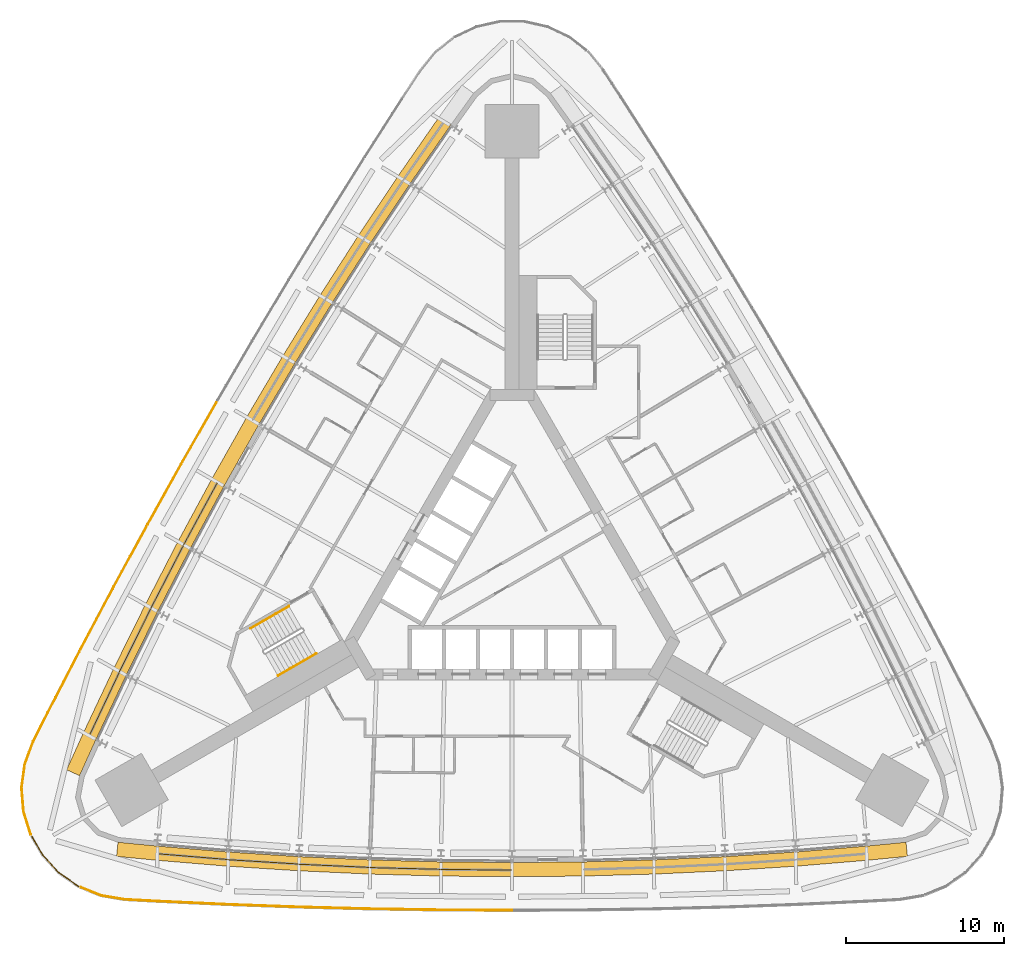
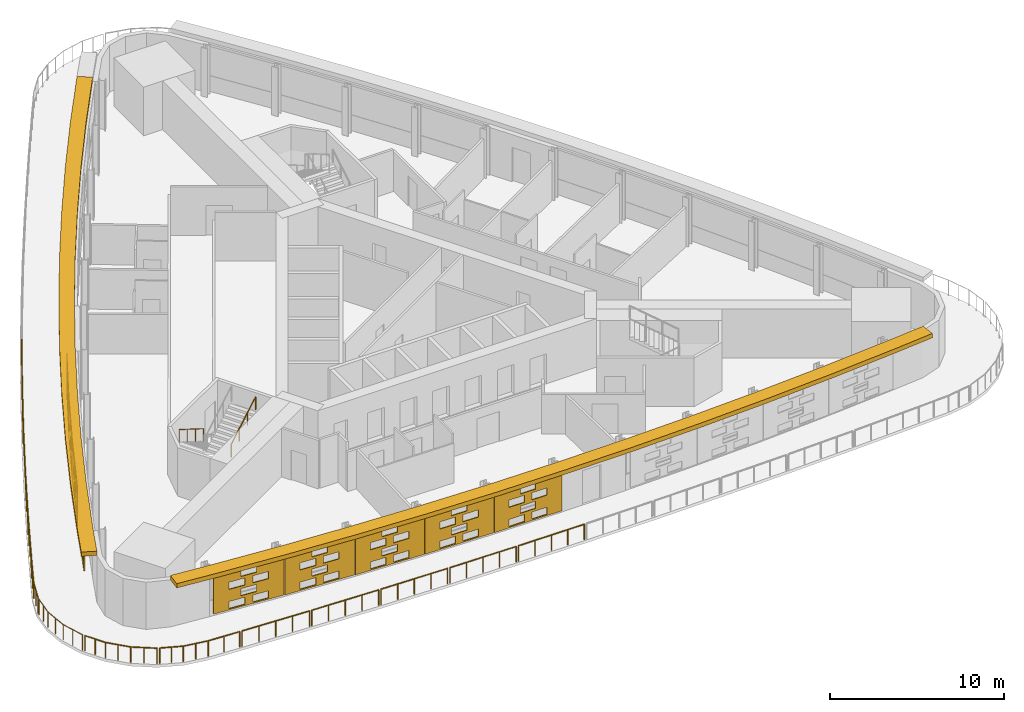
# One storey, part 11 of 14: 15 railings, 11 shading devices.
"""IFC4 building model written with IfcOpenShell, lengths in metres."""

from ifc_helpers import new_model, si_unit, direction, frame, origin, origin_2d, place, context, subcontext, project, spatial, polyline, circle, outline, extrude, material, material_profile, profile_set, type_object, element, save


model = new_model("IFC4")

# Units and contexts
model_context = context("Model", 3, precision=1e-05, world=origin(), true_north=direction((0.0, 1.0)))
body_context = subcontext(model_context, "Body", "Model", "MODEL_VIEW")
ifc_project = project(units=[si_unit("LENGTHUNIT", "METRE"), si_unit("AREAUNIT", "SQUARE_METRE"), si_unit("VOLUMEUNIT", "CUBIC_METRE"), si_unit("PLANEANGLEUNIT", "RADIAN"), si_unit("MASSUNIT", "GRAM", prefix="KILO")], contexts=[model_context])

# Site, building, storey
site_placement = place(None, origin())
site = spatial("IfcSite", under=ifc_project, at=site_placement, CompositionType="ELEMENT")
building_placement = place(site_placement, origin())
building = spatial("IfcBuilding", under=site, at=building_placement, Name="Noor Cloister Tower", CompositionType="ELEMENT")
storey_placement = place(building_placement, frame((0.0, 0.0, 24.0)))
storey = spatial("IfcBuildingStorey", under=building, at=storey_placement, Name="L05", CompositionType="ELEMENT", Elevation=24.0)

# Shading devices
ifc_material_1 = material(Name="Limestone", Category="masonry")
ifc_material_profile = material_profile(ifc_material_1, outline(polyline([(-2.22998046875, -1.35009765625), (2.22998046875, -1.35009765625), (2.22998046875, 1.35009765625), (-2.22998046875, 1.35009765625), (-2.22998046875, -1.35009765625)]), holes=[polyline([(-1.25, -1.263427734375), (-0.25, -1.263427734375), (-0.25, -0.76171875), (-1.25, -0.76171875), (-1.25, -1.263427734375)]), polyline([(0.25, -1.263427734375), (1.25, -1.263427734375), (1.25, -0.76171875), (0.25, -0.76171875), (0.25, -1.263427734375)]), polyline([(-0.5, -0.58837890625), (0.5, -0.58837890625), (0.5, -0.086669921875), (-0.5, -0.086669921875), (-0.5, -0.58837890625)]), polyline([(-1.25, 0.086669921875), (-0.25, 0.086669921875), (-0.25, 0.58837890625), (-1.25, 0.58837890625), (-1.25, 0.086669921875)]), polyline([(0.25, 0.086669921875), (1.25, 0.086669921875), (1.25, 0.58837890625), (0.25, 0.58837890625), (0.25, 0.086669921875)]), polyline([(-0.5, 0.76171875), (0.5, 0.76171875), (0.5, 1.263427734375), (-0.5, 1.263427734375), (-0.5, 0.76171875)])]), Name="Woven screen 25 percent open")
ifc_profile_set = profile_set([ifc_material_profile], Name="Limestone")
shading_device_type_1 = type_object("IfcShadingDeviceType", Name="SCREEN woven limestone 25 percent open", PredefinedType="USERDEFINED", material=ifc_profile_set)
for number, where, z_axis, x_axis, name in (
    (1, (-19.686767578125, 3.558837890625, 1.85009765625), (-0.879291966537, 0.476283148541, 0.0), (-0.476283148541, -0.879291966537, 0.0), "SCREEN L05 1"),
    (2, (-21.79443359375, -0.42626953125, 1.85009765625), (-0.887816162103, 0.460198285861, 0.0), (-0.460198285861, -0.887816162103, 0.0), "SCREEN L05 2"),
    (3, (-23.827880859375, -4.44970703125, 1.85009765625), (-0.896050438544, 0.443952262733, 0.0), (-0.443952262733, -0.896050438544, 0.0), "SCREEN L05 3"),
    (4, (-25.7861328125, -8.51025390625, 1.85009765625), (-0.90398642908, 0.427561148889, 0.0), (-0.427561148889, -0.90398642908, 0.0), "SCREEN L05 4"),
    (5, (-20.26318359375, -18.076416015625, 1.85009765625), (-0.081362009455, -0.996684615823, 0.0), (0.996684615823, -0.081362009455, 0.0), "SCREEN L05 1"),
):
    element("IfcShadingDevice", number, at=place(storey_placement, frame(where, z_axis=z_axis, x_axis=x_axis)), inside=storey, type_object=shading_device_type_1, Name=name, ObjectType="SCREEN", PredefinedType="USERDEFINED", context=body_context, shape_type="SweptSolid", body=[
        extrude(outline(polyline([(-2.22998046875, -1.35009765625), (2.22998046875, -1.35009765625), (2.22998046875, 1.35009765625), (-2.22998046875, 1.35009765625), (-2.22998046875, -1.35009765625)]), holes=[polyline([(-1.25, -1.263427734375), (-0.25, -1.263427734375), (-0.25, -0.76171875), (-1.25, -0.76171875), (-1.25, -1.263427734375)]), polyline([(0.25, -1.263427734375), (1.25, -1.263427734375), (1.25, -0.76171875), (0.25, -0.76171875), (0.25, -1.263427734375)]), polyline([(-0.5, -0.58837890625), (0.5, -0.58837890625), (0.5, -0.086669921875), (-0.5, -0.086669921875), (-0.5, -0.58837890625)]), polyline([(-1.25, 0.086669921875), (-0.25, 0.086669921875), (-0.25, 0.58837890625), (-1.25, 0.58837890625), (-1.25, 0.086669921875)]), polyline([(0.25, 0.086669921875), (1.25, 0.086669921875), (1.25, 0.58837890625), (0.25, 0.58837890625), (0.25, 0.086669921875)]), polyline([(-0.5, 0.76171875), (0.5, 0.76171875), (0.5, 1.263427734375), (-0.5, 1.263427734375), (-0.5, 0.76171875)])]), origin(), (0.0, 0.0, 1.0), 0.06005859375),
    ])
shading_device_1_placement = place(storey_placement, frame((-15.767578125, -18.41064453125, 1.85009765625), z_axis=(-0.06111006328, -0.998131033565, 0.0), x_axis=(0.998131033565, -0.06111006328, 0.0)))
element("IfcShadingDevice", 6, at=shading_device_1_placement, inside=storey, type_object=shading_device_type_1, Name="SCREEN L05 2", ObjectType="SCREEN", PredefinedType="USERDEFINED", context=body_context, shape_type="SweptSolid", body=[
    extrude(outline(polyline([(-2.22998046875, -1.35009765625), (2.22998046875, -1.35009765625), (2.22998046875, 1.35009765625), (-2.22998046875, 1.35009765625), (-2.22998046875, -1.35009765625)]), holes=[polyline([(-1.25, -1.263427734375), (-0.25, -1.263427734375), (-0.25, -0.76171875), (-1.25, -0.76171875), (-1.25, -1.263427734375)]), polyline([(0.25, -1.263427734375), (1.25, -1.263427734375), (1.25, -0.76171875), (0.25, -0.76171875), (0.25, -1.263427734375)]), polyline([(-0.5, -0.58837890625), (0.5, -0.58837890625), (0.5, -0.086669921875), (-0.5, -0.086669921875), (-0.5, -0.58837890625)]), polyline([(-1.25, 0.086669921875), (-0.25, 0.086669921875), (-0.25, 0.58837890625), (-1.25, 0.58837890625), (-1.25, 0.086669921875)]), polyline([(0.25, 0.086669921875), (1.25, 0.086669921875), (1.25, 0.58837890625), (0.25, 0.58837890625), (0.25, 0.086669921875)]), polyline([(-0.5, 0.76171875), (0.5, 0.76171875), (0.5, 1.263427734375), (-0.5, 1.263427734375), (-0.5, 0.76171875)])]), origin(), (0.0, 0.0, 1.0), 0.059814453125),
])
for number, where, z_axis, x_axis, name in (
    (7, (-11.266357421875, -18.661376953125, 1.85009765625), (-0.044670810456, -0.999001761106, 0.0), (0.999001761106, -0.044670810456, 0.0), "SCREEN L05 3"),
    (8, (-6.761474609375, -18.82861328125, 1.85009765625), (-0.024382992455, -0.999702690643, 0.0), (0.999702690643, -0.024382992455, 0.0), "SCREEN L05 4"),
):
    element("IfcShadingDevice", number, at=place(storey_placement, frame(where, z_axis=z_axis, x_axis=x_axis)), inside=storey, type_object=shading_device_type_1, Name=name, ObjectType="SCREEN", PredefinedType="USERDEFINED", context=body_context, shape_type="SweptSolid", body=[
        extrude(outline(polyline([(-2.22998046875, -1.35009765625), (2.22998046875, -1.35009765625), (2.22998046875, 1.35009765625), (-2.22998046875, 1.35009765625), (-2.22998046875, -1.35009765625)]), holes=[polyline([(-1.25, -1.263427734375), (-0.25, -1.263427734375), (-0.25, -0.76171875), (-1.25, -0.76171875), (-1.25, -1.263427734375)]), polyline([(0.25, -1.263427734375), (1.25, -1.263427734375), (1.25, -0.76171875), (0.25, -0.76171875), (0.25, -1.263427734375)]), polyline([(-0.5, -0.58837890625), (0.5, -0.58837890625), (0.5, -0.086669921875), (-0.5, -0.086669921875), (-0.5, -0.58837890625)]), polyline([(-1.25, 0.086669921875), (-0.25, 0.086669921875), (-0.25, 0.58837890625), (-1.25, 0.58837890625), (-1.25, 0.086669921875)]), polyline([(0.25, 0.086669921875), (1.25, 0.086669921875), (1.25, 0.58837890625), (0.25, 0.58837890625), (0.25, 0.086669921875)]), polyline([(-0.5, 0.76171875), (0.5, 0.76171875), (0.5, 1.263427734375), (-0.5, 1.263427734375), (-0.5, 0.76171875)])]), origin(), (0.0, 0.0, 1.0), 0.06005859375),
    ])
shading_device_2_placement = place(storey_placement, frame((-2.254150390625, -18.912353515625, 1.85009765625), z_axis=(-0.008162993324, -0.999966682215, 0.0), x_axis=(0.999966682215, -0.008162993324, 0.0)))
element("IfcShadingDevice", 9, at=shading_device_2_placement, inside=storey, type_object=shading_device_type_1, Name="SCREEN L05 5", ObjectType="SCREEN", PredefinedType="USERDEFINED", context=body_context, shape_type="SweptSolid", body=[
    extrude(outline(polyline([(-2.22998046875, -1.35009765625), (2.22998046875, -1.35009765625), (2.22998046875, 1.35009765625), (-2.22998046875, 1.35009765625), (-2.22998046875, -1.35009765625)]), holes=[polyline([(-1.25, -1.263427734375), (-0.25, -1.263427734375), (-0.25, -0.76171875), (-1.25, -0.76171875), (-1.25, -1.263427734375)]), polyline([(0.25, -1.263427734375), (1.25, -1.263427734375), (1.25, -0.76171875), (0.25, -0.76171875), (0.25, -1.263427734375)]), polyline([(-0.5, -0.58837890625), (0.5, -0.58837890625), (0.5, -0.086669921875), (-0.5, -0.086669921875), (-0.5, -0.58837890625)]), polyline([(-1.25, 0.086669921875), (-0.25, 0.086669921875), (-0.25, 0.58837890625), (-1.25, 0.58837890625), (-1.25, 0.086669921875)]), polyline([(0.25, 0.086669921875), (1.25, 0.086669921875), (1.25, 0.58837890625), (0.25, 0.58837890625), (0.25, 0.086669921875)]), polyline([(-0.5, 0.76171875), (0.5, 0.76171875), (0.5, 1.263427734375), (-0.5, 1.263427734375), (-0.5, 0.76171875)])]), origin(), (0.0, 0.0, 1.0), 0.059814453125),
])
ifc_material_2 = material(Name="Limestone", Category="masonry")
shading_device_type_2 = type_object("IfcShadingDeviceType", Name="SUNSHADE limestone band 900", PredefinedType="USERDEFINED", material=ifc_material_2)
shading_device_3_placement = place(storey_placement, frame((0.0, 0.0, 3.300048828125)))
element("IfcShadingDevice", 10, at=shading_device_3_placement, inside=storey, type_object=shading_device_type_2, Name="SUNSHADE L05 1", ObjectType="SUNSHADE", PredefinedType="USERDEFINED", context=body_context, shape_type="SweptSolid", body=[
    extrude(outline(polyline([(-4.60888671875, 28.691162109375), (-7.180908203125, 24.988525390625), (-9.688232421875, 21.231689453125), (-12.12548828125, 17.42919921875), (-14.491943359375, 13.58203125), (-16.786376953125, 9.691650390625), (-19.00830078125, 5.75927734375), (-21.156982421875, 1.786376953125), (-23.2314453125, -2.2255859375), (-25.231201171875, -6.275390625), (-27.154541015625, -10.35986328125), (-28.178466796875, -12.617919921875), (-27.35888671875, -12.989501953125), (-26.337646484375, -10.737548828125), (-24.42041015625, -6.66650390625), (-22.42822265625, -2.631591796875), (-20.361328125, 1.36572265625), (-18.220703125, 5.32373046875), (-16.0068359375, 9.24169921875), (-13.720947265625, 13.11767578125), (-11.36328125, 16.950439453125), (-8.93505859375, 20.739013671875), (-6.43701171875, 24.48193359375), (-3.869873046875, 28.177734375), (-4.60888671875, 28.691162109375)])), origin(), (0.0, 0.0, 1.0), 0.300048828125),
])
shading_device_4_placement = place(storey_placement, frame((0.0, 0.0, 3.300048828125)))
element("IfcShadingDevice", 11, at=shading_device_4_placement, inside=storey, type_object=shading_device_type_2, Name="SUNSHADE L05 2", ObjectType="SUNSHADE", PredefinedType="USERDEFINED", context=body_context, shape_type="SweptSolid", body=[
    extrude(outline(polyline([(-25.0166015625, -18.09423828125), (-22.54931640625, -18.336669921875), (-18.05029296875, -18.713134765625), (-13.543212890625, -19.006103515625), (-9.03125, -19.215576171875), (-4.516357421875, -19.34130859375), (0.0, -19.38330078125), (4.516357421875, -19.34130859375), (9.03125, -19.215576171875), (13.543212890625, -19.006103515625), (18.05029296875, -18.713134765625), (22.54931640625, -18.336669921875), (25.0166015625, -18.09423828125), (24.9287109375, -17.19873046875), (22.4677734375, -17.440185546875), (17.9833984375, -17.8154296875), (13.492919921875, -18.107421875), (8.998046875, -18.316162109375), (4.499755859375, -18.44140625), (0.0, -18.483154296875), (-4.499755859375, -18.44140625), (-8.998046875, -18.316162109375), (-13.492919921875, -18.107421875), (-17.9833984375, -17.8154296875), (-22.4677734375, -17.440185546875), (-24.9287109375, -17.19873046875), (-25.0166015625, -18.09423828125)])), origin(), (0.0, 0.0, 1.0), 0.300048828125),
])

# Railings
ifc_material_3 = material(Name="Stainless steel", Category="steel")
railing_type_1 = type_object("IfcRailingType", Name="Stair handrail 900", PredefinedType="HANDRAIL", material=ifc_material_3)
railing_1_placement = place(storey_placement, frame((-14.10986328125, -2.27392578125, 0.16357421875)))
element("IfcRailing", 12, at=railing_1_placement, inside=storey, type_object=railing_type_1, Name="Stair handrail ST2 L05 1", PredefinedType="HANDRAIL", context=body_context, shape_type="SweptSolid", body=[
    extrude(circle(Radius=0.02392578125, at=origin_2d()), frame((0.0, 0.0, 0.8759765625), z_axis=(-0.747689811644, -0.431660630283, 0.504607813879), x_axis=(0.49998411664, -0.866034573852, 0.0)), (0.0, 0.0, 1.0), 3.2431640625),
    extrude(circle(Radius=0.02099609375, at=origin_2d()), origin(), (0.0, 0.0, 1.0), 0.851806640625),
    extrude(circle(Radius=0.02099609375, at=origin_2d()), frame((-0.808349609375, -0.466552734375, 0.54541015625)), (0.0, 0.0, 1.0), 0.851806640625),
    extrude(circle(Radius=0.02099609375, at=origin_2d()), frame((-1.616455078125, -0.933349609375, 1.091064453125)), (0.0, 0.0, 1.0), 0.851806640625),
    extrude(circle(Radius=0.02099609375, at=origin_2d()), frame((-2.4248046875, -1.39990234375, 1.636474609375)), (0.0, 0.0, 1.0), 0.851806640625),
])
railing_2_placement = place(storey_placement, frame((-14.8095703125, -6.66162109375, 1.963623046875)))
element("IfcRailing", 13, at=railing_2_placement, inside=storey, type_object=railing_type_1, Name="Stair handrail ST2 L05 2", PredefinedType="HANDRAIL", context=body_context, shape_type="SweptSolid", body=[
    extrude(circle(Radius=0.02392578125, at=origin_2d()), frame((0.0, 0.0, 0.8759765625), z_axis=(0.747689811644, 0.431660630283, 0.504607813879), x_axis=(-0.49998411664, 0.866034573852, 0.0)), (0.0, 0.0, 1.0), 3.2431640625),
    extrude(circle(Radius=0.02099609375, at=origin_2d()), origin(), (0.0, 0.0, 1.0), 0.851806640625),
    extrude(circle(Radius=0.02099609375, at=origin_2d()), frame((0.808349609375, 0.466552734375, 0.54541015625)), (0.0, 0.0, 1.0), 0.851806640625),
    extrude(circle(Radius=0.02099609375, at=origin_2d()), frame((1.616455078125, 0.933349609375, 1.091064453125)), (0.0, 0.0, 1.0), 0.851806640625),
    extrude(circle(Radius=0.02099609375, at=origin_2d()), frame((2.4248046875, 1.39990234375, 1.636474609375)), (0.0, 0.0, 1.0), 0.851806640625),
])
ifc_material_4 = material(Name="Stainless steel grade 316", Category="steel")
railing_type_2 = type_object("IfcRailingType", Name="Terrace guard 1100", PredefinedType="GUARDRAIL", material=ifc_material_4)
railing_3_placement = place(storey_placement, frame((0.0, -21.50732421875, 0.0)))
element("IfcRailing", 14, at=railing_3_placement, inside=storey, type_object=railing_type_2, Name="Podium terrace guard 19", PredefinedType="GUARDRAIL", context=body_context, shape_type="SweptSolid", body=[
    extrude(circle(Radius=0.02392578125, at=origin_2d()), frame((0.0, 0.0, 1.076171875), z_axis=(-0.999986662856, 0.005164698422, 0.0), x_axis=(-0.005164698422, -0.999986662856, 0.0)), (0.0, 0.0, 1.0), 4.348876953125),
    extrude(circle(Radius=0.02099609375, at=origin_2d()), origin(), (0.0, 0.0, 1.0), 1.052001953125),
    extrude(circle(Radius=0.02099609375, at=origin_2d()), frame((-1.087158203125, 0.005615234375, 0.0)), (0.0, 0.0, 1.0), 1.052001953125),
    extrude(circle(Radius=0.02099609375, at=origin_2d()), frame((-2.17431640625, 0.01123046875, 0.0)), (0.0, 0.0, 1.0), 1.052001953125),
    extrude(circle(Radius=0.02099609375, at=origin_2d()), frame((-3.26171875, 0.016845703125, 0.0)), (0.0, 0.0, 1.0), 1.052001953125),
    extrude(circle(Radius=0.02099609375, at=origin_2d()), frame((-4.348876953125, 0.0224609375, 0.0)), (0.0, 0.0, 1.0), 1.052001953125),
])
railing_4_placement = place(storey_placement, frame((-4.498779296875, -21.484130859375, 0.0)))
element("IfcRailing", 15, at=railing_4_placement, inside=storey, type_object=railing_type_2, Name="Podium terrace guard 20", PredefinedType="GUARDRAIL", context=body_context, shape_type="SweptSolid", body=[
    extrude(circle(Radius=0.02392578125, at=origin_2d()), frame((0.0, 0.0, 1.076171875), z_axis=(-0.999881704373, 0.015381068212, 0.0), x_axis=(-0.015381068212, -0.999881704373, 0.0)), (0.0, 0.0, 1.0), 4.34912109375),
    extrude(circle(Radius=0.02099609375, at=origin_2d()), origin(), (0.0, 0.0, 1.0), 1.052001953125),
    extrude(circle(Radius=0.02099609375, at=origin_2d()), frame((-1.087158203125, 0.0166015625, 0.0)), (0.0, 0.0, 1.0), 1.052001953125),
    extrude(circle(Radius=0.02099609375, at=origin_2d()), frame((-2.17431640625, 0.033447265625, 0.0)), (0.0, 0.0, 1.0), 1.052001953125),
    extrude(circle(Radius=0.02099609375, at=origin_2d()), frame((-3.261474609375, 0.05029296875, 0.0)), (0.0, 0.0, 1.0), 1.052001953125),
    extrude(circle(Radius=0.02099609375, at=origin_2d()), frame((-4.3486328125, 0.06689453125, 0.0)), (0.0, 0.0, 1.0), 1.052001953125),
])
railing_5_placement = place(storey_placement, frame((-8.997314453125, -21.414794921875, 0.0)))
element("IfcRailing", 16, at=railing_5_placement, inside=storey, type_object=railing_type_2, Name="Podium terrace guard 21", PredefinedType="GUARDRAIL", context=body_context, shape_type="SweptSolid", body=[
    extrude(circle(Radius=0.02392578125, at=origin_2d()), frame((0.0, 0.0, 1.076171875), z_axis=(-0.999670840482, 0.025655617122, 0.0), x_axis=(-0.025655617122, -0.999670840482, 0.0)), (0.0, 0.0, 1.0), 4.348876953125),
    extrude(circle(Radius=0.02099609375, at=origin_2d()), origin(), (0.0, 0.0, 1.0), 1.052001953125),
    extrude(circle(Radius=0.02099609375, at=origin_2d()), frame((-1.0869140625, 0.02783203125, 0.0)), (0.0, 0.0, 1.0), 1.052001953125),
    extrude(circle(Radius=0.02099609375, at=origin_2d()), frame((-2.173828125, 0.0556640625, 0.0)), (0.0, 0.0, 1.0), 1.052001953125),
    extrude(circle(Radius=0.02099609375, at=origin_2d()), frame((-3.260498046875, 0.083740234375, 0.0)), (0.0, 0.0, 1.0), 1.052001953125),
    extrude(circle(Radius=0.02099609375, at=origin_2d()), frame((-4.347412109375, 0.111572265625, 0.0)), (0.0, 0.0, 1.0), 1.052001953125),
])
railing_6_placement = place(storey_placement, frame((-13.494873046875, -21.29931640625, 0.0)))
element("IfcRailing", 17, at=railing_6_placement, inside=storey, type_object=railing_type_2, Name="Podium terrace guard 22", PredefinedType="GUARDRAIL", context=body_context, shape_type="SweptSolid", body=[
    extrude(circle(Radius=0.02392578125, at=origin_2d()), frame((0.0, 0.0, 1.076171875), z_axis=(-0.99935431549, 0.035929822028, 0.0), x_axis=(-0.035929822028, -0.99935431549, 0.0)), (0.0, 0.0, 1.0), 4.348876953125),
    extrude(circle(Radius=0.02099609375, at=origin_2d()), origin(), (0.0, 0.0, 1.0), 1.052001953125),
    extrude(circle(Radius=0.02099609375, at=origin_2d()), frame((-1.08642578125, 0.0390625, 0.0)), (0.0, 0.0, 1.0), 1.052001953125),
    extrude(circle(Radius=0.02099609375, at=origin_2d()), frame((-2.1728515625, 0.078125, 0.0)), (0.0, 0.0, 1.0), 1.052001953125),
    extrude(circle(Radius=0.02099609375, at=origin_2d()), frame((-3.259521484375, 0.1171875, 0.0)), (0.0, 0.0, 1.0), 1.052001953125),
    extrude(circle(Radius=0.02099609375, at=origin_2d()), frame((-4.345947265625, 0.15625, 0.0)), (0.0, 0.0, 1.0), 1.052001953125),
])
railing_7_placement = place(storey_placement, frame((-17.99072265625, -21.1376953125, 0.0)))
element("IfcRailing", 18, at=railing_7_placement, inside=storey, type_object=railing_type_2, Name="Podium terrace guard 23", PredefinedType="GUARDRAIL", context=body_context, shape_type="SweptSolid", body=[
    extrude(circle(Radius=0.02392578125, at=origin_2d()), frame((0.0, 0.0, 1.076171875), z_axis=(-0.998932230118, 0.046199563101, 0.0), x_axis=(-0.046199563101, -0.998932230118, 0.0)), (0.0, 0.0, 1.0), 4.34912109375),
    extrude(circle(Radius=0.02099609375, at=origin_2d()), origin(), (0.0, 0.0, 1.0), 1.052001953125),
    extrude(circle(Radius=0.02099609375, at=origin_2d()), frame((-1.086181640625, 0.05029296875, 0.0)), (0.0, 0.0, 1.0), 1.052001953125),
    extrude(circle(Radius=0.02099609375, at=origin_2d()), frame((-2.17236328125, 0.1005859375, 0.0)), (0.0, 0.0, 1.0), 1.052001953125),
    extrude(circle(Radius=0.02099609375, at=origin_2d()), frame((-3.25830078125, 0.150634765625, 0.0)), (0.0, 0.0, 1.0), 1.052001953125),
    extrude(circle(Radius=0.02099609375, at=origin_2d()), frame((-4.344482421875, 0.200927734375, 0.0)), (0.0, 0.0, 1.0), 1.052001953125),
])
railing_8_placement = place(storey_placement, frame((-22.485107421875, -20.929931640625, 0.0)))
element("IfcRailing", 19, at=railing_8_placement, inside=storey, type_object=railing_type_2, Name="Podium terrace guard 24", PredefinedType="GUARDRAIL", context=body_context, shape_type="SweptSolid", body=[
    extrude(circle(Radius=0.02392578125, at=origin_2d()), frame((0.0, 0.0, 1.076171875), z_axis=(-0.998558704103, 0.053670424443, 0.0), x_axis=(-0.053670424443, -0.998558704103, 0.0)), (0.0, 0.0, 1.0), 2.02880859375),
    extrude(circle(Radius=0.02392578125, at=origin_2d()), frame((-2.02587890625, 0.10888671875, 1.076171875), z_axis=(-0.986228678444, 0.16538740525, 0.0), x_axis=(-0.16538740525, -0.986228678444, 0.0)), (0.0, 0.0, 1.0), 1.52197265625),
    extrude(circle(Radius=0.02392578125, at=origin_2d()), frame((-3.52685546875, 0.360595703125, 1.076171875), z_axis=(-0.926304912268, 0.376774746379, 0.0), x_axis=(-0.376774746379, -0.926304912268, 0.0)), (0.0, 0.0, 1.0), 1.36669921875),
    extrude(circle(Radius=0.02099609375, at=origin_2d()), origin(), (0.0, 0.0, 1.0), 1.052001953125),
    extrude(circle(Radius=0.02099609375, at=origin_2d()), frame((-1.012939453125, 0.054443359375, 0.0)), (0.0, 0.0, 1.0), 1.052001953125),
    extrude(circle(Radius=0.02099609375, at=origin_2d()), frame((-2.02587890625, 0.10888671875, 0.0)), (0.0, 0.0, 1.0), 1.052001953125),
    extrude(circle(Radius=0.02099609375, at=origin_2d()), frame((-2.7763671875, 0.23486328125, 0.0)), (0.0, 0.0, 1.0), 1.052001953125),
    extrude(circle(Radius=0.02099609375, at=origin_2d()), frame((-3.52685546875, 0.360595703125, 0.0)), (0.0, 0.0, 1.0), 1.052001953125),
    extrude(circle(Radius=0.02099609375, at=origin_2d()), frame((-4.15966796875, 0.6181640625, 0.0)), (0.0, 0.0, 1.0), 1.052001953125),
    extrude(circle(Radius=0.02099609375, at=origin_2d()), frame((-4.792724609375, 0.87548828125, 0.0)), (0.0, 0.0, 1.0), 1.052001953125),
])
railing_9_placement = place(storey_placement, frame((-27.416748046875, -19.997802734375, 0.0)))
element("IfcRailing", 20, at=railing_9_placement, inside=storey, type_object=railing_type_2, Name="Podium terrace guard 25", PredefinedType="GUARDRAIL", context=body_context, shape_type="SweptSolid", body=[
    extrude(circle(Radius=0.02392578125, at=origin_2d()), frame((0.0, 0.0, 1.076171875), z_axis=(-0.82155426334, 0.5701303293, 0.0), x_axis=(-0.5701303293, -0.82155426334, 0.0)), (0.0, 0.0, 1.0), 1.516845703125),
    extrude(circle(Radius=0.02392578125, at=origin_2d()), frame((-1.24609375, 0.86474609375, 1.076171875), z_axis=(-0.677202981058, 0.735796250634, 0.0), x_axis=(-0.735796250634, -0.677202981058, 0.0)), (0.0, 0.0, 1.0), 1.5166015625),
    extrude(circle(Radius=0.02392578125, at=origin_2d()), frame((-2.273193359375, 1.980712890625, 1.076171875), z_axis=(-0.500000789788, 0.8660249478, 0.0), x_axis=(-0.8660249478, -0.500000789788, 0.0)), (0.0, 0.0, 1.0), 1.36669921875),
    extrude(circle(Radius=0.02099609375, at=origin_2d()), origin(), (0.0, 0.0, 1.0), 1.052001953125),
    extrude(circle(Radius=0.02099609375, at=origin_2d()), frame((-0.623046875, 0.432373046875, 0.0)), (0.0, 0.0, 1.0), 1.052001953125),
    extrude(circle(Radius=0.02099609375, at=origin_2d()), frame((-1.24609375, 0.86474609375, 0.0)), (0.0, 0.0, 1.0), 1.052001953125),
    extrude(circle(Radius=0.02099609375, at=origin_2d()), frame((-1.759765625, 1.4228515625, 0.0)), (0.0, 0.0, 1.0), 1.052001953125),
    extrude(circle(Radius=0.02099609375, at=origin_2d()), frame((-2.273193359375, 1.980712890625, 0.0)), (0.0, 0.0, 1.0), 1.052001953125),
    extrude(circle(Radius=0.02099609375, at=origin_2d()), frame((-2.61474609375, 2.572509765625, 0.0)), (0.0, 0.0, 1.0), 1.052001953125),
    extrude(circle(Radius=0.02099609375, at=origin_2d()), frame((-2.95654296875, 3.164306640625, 0.0)), (0.0, 0.0, 1.0), 1.052001953125),
])
railing_10_placement = place(storey_placement, frame((-30.4482421875, -16.70361328125, 0.0)))
element("IfcRailing", 21, at=railing_10_placement, inside=storey, type_object=railing_type_2, Name="Podium terrace guard 26", PredefinedType="GUARDRAIL", context=body_context, shape_type="SweptSolid", body=[
    extrude(circle(Radius=0.02392578125, at=origin_2d()), frame((0.0, 0.0, 1.076171875), z_axis=(-0.298595766746, 0.95437967711, 0.0), x_axis=(-0.95437967711, -0.298595766746, 0.0)), (0.0, 0.0, 1.0), 1.5166015625),
    extrude(circle(Radius=0.02392578125, at=origin_2d()), frame((-0.452880859375, 1.447509765625, 1.076171875), z_axis=(-0.083072126858, 0.996543537302, 0.0), x_axis=(-0.996543537302, -0.083072126858, 0.0)), (0.0, 0.0, 1.0), 1.516357421875),
    extrude(circle(Radius=0.02392578125, at=origin_2d()), frame((-0.578857421875, 2.958740234375, 1.076171875), z_axis=(0.136842931044, 0.990592758011, 0.0), x_axis=(-0.990592758011, 0.136842931044, 0.0)), (0.0, 0.0, 1.0), 1.36669921875),
    extrude(circle(Radius=0.02099609375, at=origin_2d()), origin(), (0.0, 0.0, 1.0), 1.052001953125),
    extrude(circle(Radius=0.02099609375, at=origin_2d()), frame((-0.2265625, 0.7236328125, 0.0)), (0.0, 0.0, 1.0), 1.052001953125),
    extrude(circle(Radius=0.02099609375, at=origin_2d()), frame((-0.452880859375, 1.447509765625, 0.0)), (0.0, 0.0, 1.0), 1.052001953125),
    extrude(circle(Radius=0.02099609375, at=origin_2d()), frame((-0.515869140625, 2.203125, 0.0)), (0.0, 0.0, 1.0), 1.052001953125),
    extrude(circle(Radius=0.02099609375, at=origin_2d()), frame((-0.578857421875, 2.958740234375, 0.0)), (0.0, 0.0, 1.0), 1.052001953125),
    extrude(circle(Radius=0.02099609375, at=origin_2d()), frame((-0.4853515625, 3.6357421875, 0.0)), (0.0, 0.0, 1.0), 1.052001953125),
    extrude(circle(Radius=0.02099609375, at=origin_2d()), frame((-0.391845703125, 4.3125, 0.0)), (0.0, 0.0, 1.0), 1.052001953125),
])
railing_11_placement = place(storey_placement, frame((-30.819580078125, -12.242431640625, 0.0)))
element("IfcRailing", 22, at=railing_11_placement, inside=storey, type_object=railing_type_2, Name="Podium terrace guard 27", PredefinedType="GUARDRAIL", context=body_context, shape_type="SweptSolid", body=[
    extrude(circle(Radius=0.02392578125, at=origin_2d()), frame((0.0, 0.0, 1.076171875), z_axis=(0.349857408389, 0.936802964233, 0.0), x_axis=(-0.936802964233, 0.349857408389, 0.0)), (0.0, 0.0, 1.0), 1.52197265625),
    extrude(circle(Radius=0.02392578125, at=origin_2d()), frame((0.532470703125, 1.42578125, 1.076171875), z_axis=(0.452836606965, 0.891593521394, 0.0), x_axis=(-0.891593521394, 0.452836606965, 0.0)), (0.0, 0.0, 1.0), 2.02880859375),
    extrude(circle(Radius=0.02392578125, at=origin_2d()), frame((1.451171875, 3.234619140625, 1.076171875), z_axis=(0.459453460332, 0.888201845184, 0.0), x_axis=(-0.888201845184, 0.459453460332, 0.0)), (0.0, 0.0, 1.0), 4.349365234375),
    extrude(circle(Radius=0.02099609375, at=origin_2d()), origin(), (0.0, 0.0, 1.0), 1.052001953125),
    extrude(circle(Radius=0.02099609375, at=origin_2d()), frame((0.26611328125, 0.712890625, 0.0)), (0.0, 0.0, 1.0), 1.052001953125),
    extrude(circle(Radius=0.02099609375, at=origin_2d()), frame((0.532470703125, 1.42578125, 0.0)), (0.0, 0.0, 1.0), 1.052001953125),
    extrude(circle(Radius=0.02099609375, at=origin_2d()), frame((0.99169921875, 2.330078125, 0.0)), (0.0, 0.0, 1.0), 1.052001953125),
    extrude(circle(Radius=0.02099609375, at=origin_2d()), frame((1.451171875, 3.234619140625, 0.0)), (0.0, 0.0, 1.0), 1.052001953125),
    extrude(circle(Radius=0.02099609375, at=origin_2d()), frame((1.95068359375, 4.200439453125, 0.0)), (0.0, 0.0, 1.0), 1.052001953125),
    extrude(circle(Radius=0.02099609375, at=origin_2d()), frame((2.4501953125, 5.166015625, 0.0)), (0.0, 0.0, 1.0), 1.052001953125),
    extrude(circle(Radius=0.02099609375, at=origin_2d()), frame((2.949951171875, 6.1318359375, 0.0)), (0.0, 0.0, 1.0), 1.052001953125),
    extrude(circle(Radius=0.02099609375, at=origin_2d()), frame((3.449462890625, 7.09765625, 0.0)), (0.0, 0.0, 1.0), 1.052001953125),
])
railing_12_placement = place(storey_placement, frame((-27.30126953125, -5.01171875, 0.0)))
element("IfcRailing", 23, at=railing_12_placement, inside=storey, type_object=railing_type_2, Name="Podium terrace guard 28", PredefinedType="GUARDRAIL", context=body_context, shape_type="SweptSolid", body=[
    extrude(circle(Radius=0.02392578125, at=origin_2d()), frame((0.0, 0.0, 1.076171875), z_axis=(0.46857366186, 0.883424429938, 0.0), x_axis=(-0.883424429938, 0.46857366186, 0.0)), (0.0, 0.0, 1.0), 4.34912109375),
    extrude(circle(Radius=0.02099609375, at=origin_2d()), origin(), (0.0, 0.0, 1.0), 1.052001953125),
    extrude(circle(Radius=0.02099609375, at=origin_2d()), frame((0.509521484375, 0.96044921875, 0.0)), (0.0, 0.0, 1.0), 1.052001953125),
    extrude(circle(Radius=0.02099609375, at=origin_2d()), frame((1.01904296875, 1.9208984375, 0.0)), (0.0, 0.0, 1.0), 1.052001953125),
    extrude(circle(Radius=0.02099609375, at=origin_2d()), frame((1.5283203125, 2.881591796875, 0.0)), (0.0, 0.0, 1.0), 1.052001953125),
    extrude(circle(Radius=0.02099609375, at=origin_2d()), frame((2.037841796875, 3.842041015625, 0.0)), (0.0, 0.0, 1.0), 1.052001953125),
])
railing_13_placement = place(storey_placement, frame((-25.193115234375, -1.037109375, 0.0)))
element("IfcRailing", 24, at=railing_13_placement, inside=storey, type_object=railing_type_2, Name="Podium terrace guard 29", PredefinedType="GUARDRAIL", context=body_context, shape_type="SweptSolid", body=[
    extrude(circle(Radius=0.02392578125, at=origin_2d()), frame((0.0, 0.0, 1.076171875), z_axis=(0.477581153717, 0.878587640258, 0.0), x_axis=(-0.878587640258, 0.477581153717, 0.0)), (0.0, 0.0, 1.0), 4.348876953125),
    extrude(circle(Radius=0.02099609375, at=origin_2d()), origin(), (0.0, 0.0, 1.0), 1.052001953125),
    extrude(circle(Radius=0.02099609375, at=origin_2d()), frame((0.519287109375, 0.955078125, 0.0)), (0.0, 0.0, 1.0), 1.052001953125),
    extrude(circle(Radius=0.02099609375, at=origin_2d()), frame((1.03857421875, 1.910400390625, 0.0)), (0.0, 0.0, 1.0), 1.052001953125),
    extrude(circle(Radius=0.02099609375, at=origin_2d()), frame((1.5576171875, 2.86572265625, 0.0)), (0.0, 0.0, 1.0), 1.052001953125),
    extrude(circle(Radius=0.02099609375, at=origin_2d()), frame((2.076904296875, 3.82080078125, 0.0)), (0.0, 0.0, 1.0), 1.052001953125),
])
railing_14_placement = place(storey_placement, frame((-23.04443359375, 2.91552734375, 0.0)))
element("IfcRailing", 25, at=railing_14_placement, inside=storey, type_object=railing_type_2, Name="Podium terrace guard 30", PredefinedType="GUARDRAIL", context=body_context, shape_type="SweptSolid", body=[
    extrude(circle(Radius=0.02392578125, at=origin_2d()), frame((0.0, 0.0, 1.076171875), z_axis=(0.486605458783, 0.873621844669, 0.0), x_axis=(-0.873621844669, 0.486605458783, 0.0)), (0.0, 0.0, 1.0), 4.348876953125),
    extrude(circle(Radius=0.02099609375, at=origin_2d()), origin(), (0.0, 0.0, 1.0), 1.052001953125),
    extrude(circle(Radius=0.02099609375, at=origin_2d()), frame((0.529052734375, 0.94970703125, 0.0)), (0.0, 0.0, 1.0), 1.052001953125),
    extrude(circle(Radius=0.02099609375, at=origin_2d()), frame((1.05810546875, 1.899658203125, 0.0)), (0.0, 0.0, 1.0), 1.052001953125),
    extrude(circle(Radius=0.02099609375, at=origin_2d()), frame((1.587158203125, 2.849609375, 0.0)), (0.0, 0.0, 1.0), 1.052001953125),
    extrude(circle(Radius=0.02099609375, at=origin_2d()), frame((2.1162109375, 3.79931640625, 0.0)), (0.0, 0.0, 1.0), 1.052001953125),
])
railing_15_placement = place(storey_placement, frame((-20.855224609375, 6.845947265625, 0.0)))
element("IfcRailing", 26, at=railing_15_placement, inside=storey, type_object=railing_type_2, Name="Podium terrace guard 31", PredefinedType="GUARDRAIL", context=body_context, shape_type="SweptSolid", body=[
    extrude(circle(Radius=0.02392578125, at=origin_2d()), frame((0.0, 0.0, 1.076171875), z_axis=(0.495540290747, 0.868584952809, 0.0), x_axis=(-0.868584952809, 0.495540290747, 0.0)), (0.0, 0.0, 1.0), 4.348876953125),
    extrude(circle(Radius=0.02099609375, at=origin_2d()), origin(), (0.0, 0.0, 1.0), 1.052001953125),
    extrude(circle(Radius=0.02099609375, at=origin_2d()), frame((0.538818359375, 0.9443359375, 0.0)), (0.0, 0.0, 1.0), 1.052001953125),
    extrude(circle(Radius=0.02099609375, at=origin_2d()), frame((1.07763671875, 1.888671875, 0.0)), (0.0, 0.0, 1.0), 1.052001953125),
    extrude(circle(Radius=0.02099609375, at=origin_2d()), frame((1.6162109375, 2.8330078125, 0.0)), (0.0, 0.0, 1.0), 1.052001953125),
    extrude(circle(Radius=0.02099609375, at=origin_2d()), frame((2.155029296875, 3.77734375, 0.0)), (0.0, 0.0, 1.0), 1.052001953125),
])

save(model, "model.ifc")
